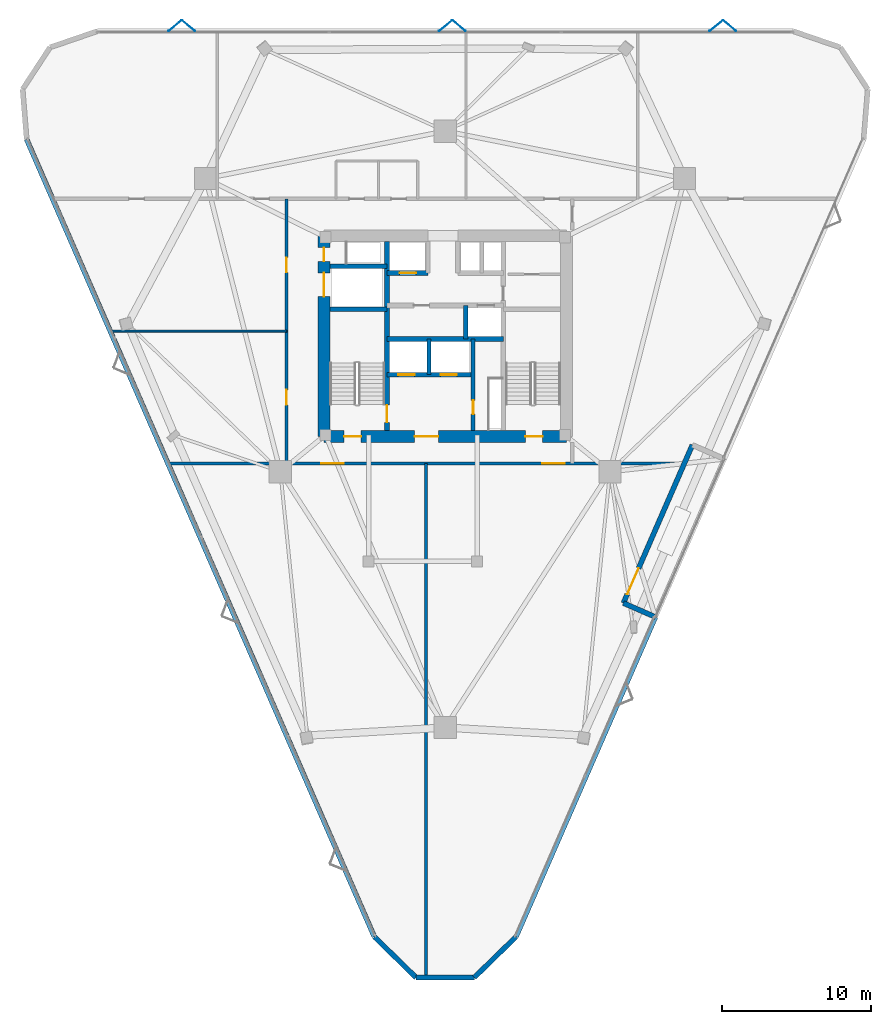
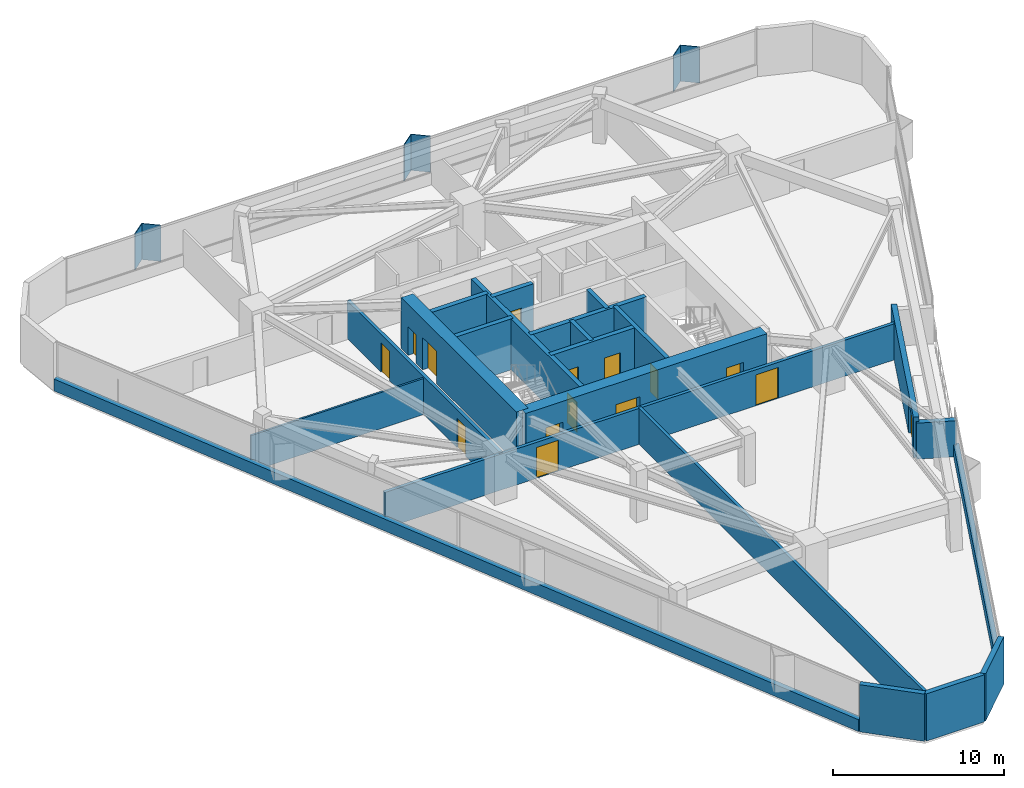
# One storey, part 9 of 11: 22 walls, 15 doors, 6 plates, 15 openings.
"""IFC4 building model written with IfcOpenShell, lengths in metres."""

from ifc_helpers import new_model, si_unit, direction, frame, frame_2d, origin, origin_2d, place, context, subcontext, project, spatial, rectangle, extrude, material, layer, layer_set, type_object, element, fill, save


model = new_model("IFC4")

# Units and contexts
model_context = context("Model", 3, precision=1e-05, world=origin(), true_north=direction((0.0, 1.0)))
body_context = subcontext(model_context, "Body", "Model", "MODEL_VIEW")
ifc_project = project(units=[si_unit("LENGTHUNIT", "METRE"), si_unit("AREAUNIT", "SQUARE_METRE"), si_unit("VOLUMEUNIT", "CUBIC_METRE"), si_unit("PLANEANGLEUNIT", "RADIAN"), si_unit("MASSUNIT", "GRAM", prefix="KILO")], contexts=[model_context])

# Site, building, storey
site_placement = place(None, origin())
site = spatial("IfcSite", under=ifc_project, at=site_placement, CompositionType="ELEMENT")
building_placement = place(site_placement, origin())
building = spatial("IfcBuilding", under=site, at=building_placement, Name="Talyreon Biosciences Tower", CompositionType="ELEMENT")
storey_placement = place(building_placement, frame((0.0, 0.0, 149.10009765625)))
storey = spatial("IfcBuildingStorey", under=building, at=storey_placement, Name="L39", CompositionType="ELEMENT", Elevation=149.10009765625)

# Plates
ifc_material_1 = material(Name="Ivory GFRC sunshade panel", Category="concrete")
ifc_layer_1 = layer(ifc_material_1, 0.044921875)
ifc_layer_set_1 = layer_set([ifc_layer_1], Name="Ivory GFRC sunshade panel")
plate_type = type_object("IfcPlateType", Name="FoldedVSunshade_NorthFace_SUNSHADE", PredefinedType="USERDEFINED", material=ifc_layer_set_1)
for number, where, z_axis, x_axis, name in (
    (1, (47.82763671875, 88.87939453125, 0.7900390625), (0.0, 0.0, 1.0), (0.771624583388, 0.636078220278, 0.0), "L39 Folded V-Sunshade Panel 03.01L"),
    (2, (48.727783203125, 88.87939453125, 0.7900390625), (0.0, 0.0, 1.0), (0.771624583388, -0.636078220278, 0.0), "L39 Folded V-Sunshade Panel 03.01R"),
    (3, (66.027587890625, 88.87939453125, 0.7900390625), (0.0, 0.0, 1.0), (0.771624583388, 0.636078220278, 0.0), "L39 Folded V-Sunshade Panel 03.02L"),
    (4, (66.927734375, 88.87939453125, 0.7900390625), (0.0, 0.0, 1.0), (0.771624583388, -0.636078220278, 0.0), "L39 Folded V-Sunshade Panel 03.02R"),
    (5, (84.227783203125, 88.87939453125, 0.7900390625), (0.0, 0.0, 1.0), (0.771624583388, 0.636078220278, 0.0), "L39 Folded V-Sunshade Panel 03.03L"),
    (6, (85.127685546875, 88.87939453125, 0.7900390625), (0.0, 0.0, 1.0), (0.771624583388, -0.636078220278, 0.0), "L39 Folded V-Sunshade Panel 03.03R"),
):
    element("IfcPlate", number, at=place(storey_placement, frame(where, z_axis=z_axis, x_axis=x_axis)), inside=storey, type_object=plate_type, Name=name, ObjectType="SUNSHADE", PredefinedType="USERDEFINED", context=body_context, shape_type="SweptSolid", body=[
        extrude(rectangle(XDim=1.14990234375, YDim=0.044921875, at=origin_2d()), origin(), (0.0, 0.0, 1.0), 2.5849609375),
    ])

# Walls
ifc_material_2 = material(Name="Gypsum fireboard acoustic stud", Category="gypsum")
ifc_layer_2 = layer(ifc_material_2, 0.199951171875)
ifc_layer_set_2 = layer_set([ifc_layer_2], Name="Gypsum fireboard acoustic stud")
wall_type_1 = type_object("IfcWallType", Name="ChemControlPartition_200", PredefinedType="PARTITIONING", material=ifc_layer_set_2)
wall_1_placement = place(storey_placement, frame((64.718017578125, 24.94140625, 0.0), z_axis=(0.0, 0.0, 1.0), x_axis=(0.0, 1.0, 0.0)))
element("IfcWall", 7, at=wall_1_placement, inside=storey, type_object=wall_type_1, Name="L39 Interior Wall IW-L39-SDIV1", PredefinedType="PARTITIONING", context=body_context, shape_type="SweptSolid", body=[
    extrude(rectangle(XDim=34.488525390625, YDim=0.199951171875, at=frame_2d((17.244140625, 0.0))), origin(), (0.0, 0.0, 1.0), 2.574951171875),
])
ifc_material_3 = material(Name="Concrete C50/60", Category="concrete")
ifc_layer_3 = layer(ifc_material_3, 0.280029296875)
ifc_layer_set_3 = layer_set([ifc_layer_3], Name="Concrete C50/60")
wall_type_2 = type_object("IfcWallType", Name="CoreShearWall_280", PredefinedType="SHEAR", material=ifc_layer_set_3)
wall_2_placement = place(storey_placement, frame((64.919921875, 65.39990234375, 0.0), z_axis=(0.0, 0.0, 1.0), x_axis=(0.0, 1.0, 0.0)))
element("IfcWall", 8, at=wall_2_placement, inside=storey, type_object=wall_type_2, Name="L39 Core Shaft Wall SWSHD1", PredefinedType="SHEAR", context=body_context, shape_type="SweptSolid", body=[
    extrude(rectangle(XDim=2.400146484375, YDim=0.280029296875, at=frame_2d((1.2001953125, 0.0))), origin(), (0.0, 0.0, 1.0), 3.64990234375),
])

# Wall, opening, door
wall_3_placement = place(storey_placement, frame((67.8798828125, 61.64990234375, 0.0), z_axis=(0.0, 0.0, 1.0), x_axis=(0.0, 1.0, 0.0)))
wall_3 = element("IfcWall", 9, at=wall_3_placement, inside=storey, type_object=wall_type_2, Name="L39 Core Shaft Wall SWFFE", PredefinedType="SHEAR", context=body_context, shape_type="SweptSolid", body=[
    extrude(rectangle(XDim=6.150146484375, YDim=0.280029296875, at=frame_2d((3.0751953125, 0.0))), origin(), (0.0, 0.0, 1.0), 3.64990234375),
])
opening_1_placement = place(wall_3_placement, frame((1.10009765625, 0.0, 0.0)))
opening_1 = element("IfcOpeningElement", 10, at=opening_1_placement, cuts=wall_3, Name="Opening DR-L39-RSE", PredefinedType="OPENING", context=body_context, shape_type="SweptSolid", body=[
    extrude(rectangle(XDim=0.919921875, YDim=2.050048828125, at=frame_2d((0.4599609375, 1.02490234375))), frame((0.0, 0.14990234375, 0.0), z_axis=(0.0, -1.0, 0.0), x_axis=(1.0, 0.0, 0.0)), (0.0, 0.0, 1.0), 0.300048828125),
])
ifc_material_4 = material(Name="Painted steel fire-rated riser door", Category="steel")
door_type_1 = type_object("IfcDoorType", Name="RiserPlantAccessDoor_920x2050", OperationType="NOTDEFINED", PredefinedType="DOOR", material=ifc_material_4)
door_1_placement = place(opening_1_placement, origin())
door_1 = element("IfcDoor", 11, at=door_1_placement, inside=storey, type_object=door_type_1, Name="L39 Core Door DR-L39-RSE", OperationType="SINGLE_SWING_RIGHT", OverallHeight=2.050048828125, OverallWidth=0.919921875, PredefinedType="DOOR", context=body_context, shape_type="SweptSolid", body=[
    extrude(rectangle(XDim=0.919921875, YDim=2.050048828125, at=frame_2d((0.4599609375, 1.02490234375))), frame((0.0, 0.02490234375, 0.0), z_axis=(0.0, -1.0, 0.0), x_axis=(1.0, 0.0, 0.0)), (0.0, 0.0, 1.0), 0.050048828125),
])
fill(opening_1, door_1)

# Wall
wall_4_placement = place(storey_placement, frame((67.3798828125, 67.800048828125, 0.0), z_axis=(0.0, 0.0, 1.0), x_axis=(0.0, 1.0, 0.0)))
element("IfcWall", 12, at=wall_4_placement, inside=storey, type_object=wall_type_2, Name="L39 Core Shaft Wall SWPMD", PredefinedType="SHEAR", context=body_context, shape_type="SweptSolid", body=[
    extrude(rectangle(XDim=2.25, YDim=0.280029296875, at=frame_2d((1.125, 0.0))), origin(), (0.0, 0.0, 1.0), 3.64990234375),
])

# Wall, opening, door
ifc_layer_4 = layer(ifc_material_3, 0.320068359375)
ifc_layer_set_4 = layer_set([ifc_layer_4], Name="Concrete C50/60")
wall_type_3 = type_object("IfcWallType", Name="CoreShearWall_320", PredefinedType="SHEAR", material=ifc_layer_set_4)
wall_5_placement = place(storey_placement, frame((62.090087890625, 61.64990234375, 0.0), z_axis=(0.0, 0.0, 1.0), x_axis=(0.0, 1.0, 0.0)))
wall_5 = element("IfcWall", 13, at=wall_5_placement, inside=storey, type_object=wall_type_3, Name="L39 Core Shaft Wall SW1E", PredefinedType="SHEAR", context=body_context, shape_type="SweptSolid", body=[
    extrude(rectangle(XDim=12.7001953125, YDim=0.320068359375, at=frame_2d((6.35009765625, 0.0))), origin(), (0.0, 0.0, 1.0), 3.64990234375),
])
opening_2_placement = place(wall_5_placement, frame((0.550048828125, 0.0, 0.0)))
opening_2 = element("IfcOpeningElement", 14, at=opening_2_placement, cuts=wall_5, Name="Opening DR-L39-FF-ST1", PredefinedType="OPENING", context=body_context, shape_type="SweptSolid", body=[
    extrude(rectangle(XDim=1.14990234375, YDim=2.14990234375, at=frame_2d((0.574951171875, 1.074951171875))), frame((0.0, 0.169921875, 0.0), z_axis=(0.0, -1.0, 0.0), x_axis=(1.0, 0.0, 0.0)), (0.0, 0.0, 1.0), 0.340087890625),
])
ifc_material_5 = material(Name="Painted steel fire door", Category="steel")
door_type_2 = type_object("IfcDoorType", Name="StairShaftFireDoor_1150x2150", OperationType="NOTDEFINED", PredefinedType="DOOR", material=ifc_material_5)
door_2_placement = place(opening_2_placement, origin())
door_2 = element("IfcDoor", 15, at=door_2_placement, inside=storey, type_object=door_type_2, Name="L39 Core Door DR-L39-FF-ST1", OperationType="SINGLE_SWING_LEFT", OverallHeight=2.14990234375, OverallWidth=1.14990234375, PredefinedType="DOOR", context=body_context, shape_type="SweptSolid", body=[
    extrude(rectangle(XDim=1.14990234375, YDim=2.14990234375, at=frame_2d((0.574951171875, 1.074951171875))), frame((0.0, 0.02490234375, 0.0), z_axis=(0.0, -1.0, 0.0), x_axis=(1.0, 0.0, 0.0)), (0.0, 0.0, 1.0), 0.050048828125),
])
fill(opening_2, door_2)

# Walls
for number, where, z_axis, x_axis, name in (
    (16, (58.25, 69.81005859375, 0.0), (0.0, 0.0, 1.0), (1.0, 0.0, 0.0), "L39 Core Shaft Wall SW1N"),
    (17, (58.25, 72.699951171875, 0.0), (0.0, 0.0, 1.0), (1.0, 0.0, 0.0), "L39 Core Shaft Wall SWGLN"),
):
    element("IfcWall", number, at=place(storey_placement, frame(where, z_axis=z_axis, x_axis=x_axis)), inside=storey, type_object=wall_type_3, Name=name, PredefinedType="SHEAR", context=body_context, shape_type="SweptSolid", body=[
        extrude(rectangle(XDim=3.840087890625, YDim=0.320068359375, at=frame_2d((1.919921875, 0.0))), origin(), (0.0, 0.0, 1.0), 3.64990234375),
    ])
wall_6_placement = place(storey_placement, frame((62.090087890625, 67.800048828125, 0.0), z_axis=(0.0, 0.0, 1.0), x_axis=(1.0, 0.0, 0.0)))
element("IfcWall", 18, at=wall_6_placement, inside=storey, type_object=wall_type_3, Name="L39 Core Shaft Wall SWSHM", PredefinedType="SHEAR", context=body_context, shape_type="SweptSolid", body=[
    extrude(rectangle(XDim=7.81982421875, YDim=0.320068359375, at=frame_2d((3.909912109375, 0.0))), origin(), (0.0, 0.0, 1.0), 3.64990234375),
])

# Wall, opening, door
wall_7_placement = place(storey_placement, frame((62.090087890625, 72.25, 0.0), z_axis=(0.0, 0.0, 1.0), x_axis=(1.0, 0.0, 0.0)))
wall_7 = element("IfcWall", 19, at=wall_7_placement, inside=storey, type_object=wall_type_3, Name="L39 Core Shaft Wall SWNPW", PredefinedType="SHEAR", context=body_context, shape_type="SweptSolid", body=[
    extrude(rectangle(XDim=2.760009765625, YDim=0.320068359375, at=frame_2d((1.3798828125, 0.0))), origin(), (0.0, 0.0, 1.0), 3.64990234375),
])
opening_3_placement = place(wall_7_placement, frame((0.85009765625, 0.0, 0.0)))
opening_3 = element("IfcOpeningElement", 20, at=opening_3_placement, cuts=wall_7, Name="Opening LD-L39-PM2", PredefinedType="OPENING", context=body_context, shape_type="SweptSolid", body=[
    extrude(rectangle(XDim=1.10009765625, YDim=2.199951171875, at=frame_2d((0.550048828125, 1.10009765625))), frame((0.0, 0.169921875, 0.0), z_axis=(0.0, -1.0, 0.0), x_axis=(1.0, 0.0, 0.0)), (0.0, 0.0, 1.0), 0.340087890625),
])
ifc_material_6 = material(Name="Brushed stainless-steel lift landing door", Category="steel")
door_type_3 = type_object("IfcDoorType", Name="LiftSlidingLandingDoor_1100x2200", OperationType="SLIDING_TO_LEFT", PredefinedType="DOOR", material=ifc_material_6)
door_3_placement = place(opening_3_placement, origin())
door_3 = element("IfcDoor", 21, at=door_3_placement, inside=storey, type_object=door_type_3, Name="L39 Core Door LD-L39-PM2", OperationType="SLIDING_TO_LEFT", OverallHeight=2.199951171875, OverallWidth=1.10009765625, PredefinedType="DOOR", context=body_context, shape_type="SweptSolid", body=[
    extrude(rectangle(XDim=1.10009765625, YDim=2.199951171875, at=frame_2d((0.550048828125, 1.10009765625))), frame((0.0, 0.02490234375, 0.0), z_axis=(0.0, -1.0, 0.0), x_axis=(1.0, 0.0, 0.0)), (0.0, 0.0, 1.0), 0.050048828125),
])
fill(opening_3, door_3)

# Wall, openings, doors
wall_8_placement = place(storey_placement, frame((62.090087890625, 65.39990234375, 0.0), z_axis=(0.0, 0.0, 1.0), x_axis=(1.0, 0.0, 0.0)))
wall_8 = element("IfcWall", 22, at=wall_8_placement, inside=storey, type_object=wall_type_3, Name="L39 Core Shaft Wall SWFFN", PredefinedType="SHEAR", context=body_context, shape_type="SweptSolid", body=[
    extrude(rectangle(XDim=5.789794921875, YDim=0.320068359375, at=frame_2d((2.89501953125, 0.0))), origin(), (0.0, 0.0, 1.0), 3.64990234375),
])
opening_4_placement = place(wall_8_placement, frame((0.75, 0.0, 0.0)))
opening_4 = element("IfcOpeningElement", 23, at=opening_4_placement, cuts=wall_8, Name="Opening LD-L39-FL1", PredefinedType="OPENING", context=body_context, shape_type="SweptSolid", body=[
    extrude(rectangle(XDim=1.10009765625, YDim=2.199951171875, at=frame_2d((0.550048828125, 1.10009765625))), frame((0.0, 0.169921875, 0.0), z_axis=(0.0, -1.0, 0.0), x_axis=(1.0, 0.0, 0.0)), (0.0, 0.0, 1.0), 0.340087890625),
])
opening_5_placement = place(wall_8_placement, frame((3.60009765625, 0.0, 0.0)))
opening_5 = element("IfcOpeningElement", 24, at=opening_5_placement, cuts=wall_8, Name="Opening LD-L39-FL2", PredefinedType="OPENING", context=body_context, shape_type="SweptSolid", body=[
    extrude(rectangle(XDim=1.10009765625, YDim=2.199951171875, at=frame_2d((0.550048828125, 1.10009765625))), frame((0.0, 0.169921875, 0.0), z_axis=(0.0, -1.0, 0.0), x_axis=(1.0, 0.0, 0.0)), (0.0, 0.0, 1.0), 0.340087890625),
])
door_4_placement = place(opening_4_placement, origin())
door_4 = element("IfcDoor", 25, at=door_4_placement, inside=storey, type_object=door_type_3, Name="L39 Core Door LD-L39-FL1", OperationType="SLIDING_TO_LEFT", OverallHeight=2.199951171875, OverallWidth=1.10009765625, PredefinedType="DOOR", context=body_context, shape_type="SweptSolid", body=[
    extrude(rectangle(XDim=1.10009765625, YDim=2.199951171875, at=frame_2d((0.550048828125, 1.10009765625))), frame((0.0, 0.02490234375, 0.0), z_axis=(0.0, -1.0, 0.0), x_axis=(1.0, 0.0, 0.0)), (0.0, 0.0, 1.0), 0.050048828125),
])
fill(opening_4, door_4)
door_5_placement = place(opening_5_placement, origin())
door_5 = element("IfcDoor", 26, at=door_5_placement, inside=storey, type_object=door_type_3, Name="L39 Core Door LD-L39-FL2", OperationType="SLIDING_TO_LEFT", OverallHeight=2.199951171875, OverallWidth=1.10009765625, PredefinedType="DOOR", context=body_context, shape_type="SweptSolid", body=[
    extrude(rectangle(XDim=1.10009765625, YDim=2.199951171875, at=frame_2d((0.550048828125, 1.10009765625))), frame((0.0, 0.02490234375, 0.0), z_axis=(0.0, -1.0, 0.0), x_axis=(1.0, 0.0, 0.0)), (0.0, 0.0, 1.0), 0.050048828125),
])
fill(opening_5, door_5)

ifc_material_7 = material(Name="Concrete C60/75", Category="concrete")
ifc_layer_5 = layer(ifc_material_7, 0.800048828125)
ifc_layer_set_5 = layer_set([ifc_layer_5], Name="Concrete C60/75")
wall_type_4 = type_object("IfcWallType", Name="CoreShearWall_800", PredefinedType="SHEAR", material=ifc_layer_set_5)
wall_9_placement = place(storey_placement, frame((57.85009765625, 61.25, 0.0), z_axis=(0.0, 0.0, 1.0), x_axis=(1.0, 0.0, 0.0)))
wall_9 = element("IfcWall", 27, at=wall_9_placement, inside=storey, type_object=wall_type_4, Name="L39 Core Shear Wall S", PredefinedType="SHEAR", context=body_context, shape_type="SweptSolid", body=[
    extrude(rectangle(XDim=16.2998046875, YDim=0.800048828125, at=frame_2d((8.14990234375, 0.0))), origin(), (0.0, 0.0, 1.0), 3.64990234375),
])
opening_6_placement = place(wall_9_placement, frame((1.35009765625, 0.0, 0.0)))
opening_6 = element("IfcOpeningElement", 28, at=opening_6_placement, cuts=wall_9, Name="Opening DR-L39-ST1", PredefinedType="OPENING", context=body_context, shape_type="SweptSolid", body=[
    extrude(rectangle(XDim=1.14990234375, YDim=2.14990234375, at=frame_2d((0.574951171875, 1.074951171875))), frame((0.0, 0.409912109375, 0.0), z_axis=(0.0, -1.0, 0.0), x_axis=(1.0, 0.0, 0.0)), (0.0, 0.0, 1.0), 0.820068359375),
])
opening_7_placement = place(wall_9_placement, frame((6.10009765625, 0.0, 0.0)))
opening_7 = element("IfcOpeningElement", 29, at=opening_7_placement, cuts=wall_9, Name="Opening DR-L39-FFL", PredefinedType="OPENING", context=body_context, shape_type="SweptSolid", body=[
    extrude(rectangle(XDim=1.60009765625, YDim=2.14990234375, at=frame_2d((0.800048828125, 1.074951171875))), frame((0.0, 0.409912109375, 0.0), z_axis=(0.0, -1.0, 0.0), x_axis=(1.0, 0.0, 0.0)), (0.0, 0.0, 1.0), 0.820068359375),
])
opening_8_placement = place(wall_9_placement, frame((13.550048828125, 0.0, 0.0)))
opening_8 = element("IfcOpeningElement", 30, at=opening_8_placement, cuts=wall_9, Name="Opening DR-L39-ST2", PredefinedType="OPENING", context=body_context, shape_type="SweptSolid", body=[
    extrude(rectangle(XDim=1.14990234375, YDim=2.14990234375, at=frame_2d((0.574951171875, 1.074951171875))), frame((0.0, 0.409912109375, 0.0), z_axis=(0.0, -1.0, 0.0), x_axis=(1.0, 0.0, 0.0)), (0.0, 0.0, 1.0), 0.820068359375),
])
ifc_material_8 = material(Name="Painted steel smoke-seal fire door", Category="steel")
door_type_4 = type_object("IfcDoorType", Name="FirefightingLobbyDoubleDoor_1600x2150", OperationType="DOUBLE_DOOR_SINGLE_SWING", PredefinedType="DOOR", material=ifc_material_8)
door_6_placement = place(opening_7_placement, origin())
door_6 = element("IfcDoor", 31, at=door_6_placement, inside=storey, type_object=door_type_4, Name="L39 Core Door DR-L39-FFL", OperationType="DOUBLE_DOOR_SINGLE_SWING", OverallHeight=2.14990234375, OverallWidth=1.60009765625, PredefinedType="DOOR", context=body_context, shape_type="SweptSolid", body=[
    extrude(rectangle(XDim=1.60009765625, YDim=2.14990234375, at=frame_2d((0.800048828125, 1.074951171875))), frame((0.0, 0.02490234375, 0.0), z_axis=(0.0, -1.0, 0.0), x_axis=(1.0, 0.0, 0.0)), (0.0, 0.0, 1.0), 0.050048828125),
])
fill(opening_7, door_6)
door_7_placement = place(opening_6_placement, origin())
door_7 = element("IfcDoor", 32, at=door_7_placement, inside=storey, type_object=door_type_2, Name="L39 Core Door DR-L39-ST1", OperationType="SINGLE_SWING_LEFT", OverallHeight=2.14990234375, OverallWidth=1.14990234375, PredefinedType="DOOR", context=body_context, shape_type="SweptSolid", body=[
    extrude(rectangle(XDim=1.14990234375, YDim=2.14990234375, at=frame_2d((0.574951171875, 1.074951171875))), frame((0.0, 0.02490234375, 0.0), z_axis=(0.0, -1.0, 0.0), x_axis=(1.0, 0.0, 0.0)), (0.0, 0.0, 1.0), 0.050048828125),
])
fill(opening_6, door_7)
door_8_placement = place(opening_8_placement, origin())
door_8 = element("IfcDoor", 33, at=door_8_placement, inside=storey, type_object=door_type_2, Name="L39 Core Door DR-L39-ST2", OperationType="SINGLE_SWING_RIGHT", OverallHeight=2.14990234375, OverallWidth=1.14990234375, PredefinedType="DOOR", context=body_context, shape_type="SweptSolid", body=[
    extrude(rectangle(XDim=1.14990234375, YDim=2.14990234375, at=frame_2d((0.574951171875, 1.074951171875))), frame((0.0, 0.02490234375, 0.0), z_axis=(0.0, -1.0, 0.0), x_axis=(1.0, 0.0, 0.0)), (0.0, 0.0, 1.0), 0.050048828125),
])
fill(opening_8, door_8)

wall_10_placement = place(storey_placement, frame((57.85009765625, 74.75, 0.0), z_axis=(0.0, 0.0, 1.0), x_axis=(0.0, -1.0, 0.0)))
wall_10 = element("IfcWall", 34, at=wall_10_placement, inside=storey, type_object=wall_type_4, Name="L39 Core Shear Wall W", PredefinedType="SHEAR", context=body_context, shape_type="SweptSolid", body=[
    extrude(rectangle(XDim=13.5, YDim=0.800048828125, at=frame_2d((6.75, 0.0))), origin(), (0.0, 0.0, 1.0), 3.64990234375),
])
opening_9_placement = place(wall_10_placement, frame((0.800048828125, 0.0, 0.0)))
opening_9 = element("IfcOpeningElement", 35, at=opening_9_placement, cuts=wall_10, Name="Opening DR-L39-RSW", PredefinedType="OPENING", context=body_context, shape_type="SweptSolid", body=[
    extrude(rectangle(XDim=0.919921875, YDim=2.050048828125, at=frame_2d((0.4599609375, 1.02490234375))), frame((0.0, 0.409912109375, 0.0), z_axis=(0.0, -1.0, 0.0), x_axis=(1.0, 0.0, 0.0)), (0.0, 0.0, 1.0), 0.820068359375),
])
opening_10_placement = place(wall_10_placement, frame((2.5, 0.0, 0.0)))
opening_10 = element("IfcOpeningElement", 36, at=opening_10_placement, cuts=wall_10, Name="Opening LD-L39-GL1", PredefinedType="OPENING", context=body_context, shape_type="SweptSolid", body=[
    extrude(rectangle(XDim=1.60009765625, YDim=2.300048828125, at=frame_2d((0.800048828125, 1.14990234375))), frame((0.0, 0.409912109375, 0.0), z_axis=(0.0, -1.0, 0.0), x_axis=(1.0, 0.0, 0.0)), (0.0, 0.0, 1.0), 0.820068359375),
])
ifc_material_9 = material(Name="Heavy-duty stainless-steel goods lift door", Category="steel")
door_type_5 = type_object("IfcDoorType", Name="GoodsLiftSlidingDoor_1600x2300", OperationType="DOUBLE_DOOR_SLIDING", PredefinedType="DOOR", material=ifc_material_9)
door_9_placement = place(opening_10_placement, origin())
door_9 = element("IfcDoor", 37, at=door_9_placement, inside=storey, type_object=door_type_5, Name="L39 Core Door LD-L39-GL1", OperationType="DOUBLE_DOOR_SLIDING", OverallHeight=2.300048828125, OverallWidth=1.60009765625, PredefinedType="DOOR", context=body_context, shape_type="SweptSolid", body=[
    extrude(rectangle(XDim=1.60009765625, YDim=2.300048828125, at=frame_2d((0.800048828125, 1.14990234375))), frame((0.0, 0.02490234375, 0.0), z_axis=(0.0, -1.0, 0.0), x_axis=(1.0, 0.0, 0.0)), (0.0, 0.0, 1.0), 0.050048828125),
])
fill(opening_10, door_9)
door_10_placement = place(opening_9_placement, origin())
door_10 = element("IfcDoor", 38, at=door_10_placement, inside=storey, type_object=door_type_1, Name="L39 Core Door DR-L39-RSW", OperationType="SINGLE_SWING_LEFT", OverallHeight=2.050048828125, OverallWidth=0.919921875, PredefinedType="DOOR", context=body_context, shape_type="SweptSolid", body=[
    extrude(rectangle(XDim=0.919921875, YDim=2.050048828125, at=frame_2d((0.4599609375, 1.02490234375))), frame((0.0, 0.02490234375, 0.0), z_axis=(0.0, -1.0, 0.0), x_axis=(1.0, 0.0, 0.0)), (0.0, 0.0, 1.0), 0.050048828125),
])
fill(opening_9, door_10)

ifc_layer_6 = layer(ifc_material_2, 0.219970703125)
ifc_layer_set_6 = layer_set([ifc_layer_6], Name="Gypsum fireboard acoustic stud")
wall_type_5 = type_object("IfcWallType", Name="CorridorRatedPartition_220", PredefinedType="PARTITIONING", material=ifc_layer_set_6)
wall_11_placement = place(storey_placement, frame((47.4443359375, 59.429931640625, 0.0), z_axis=(0.0, 0.0, 1.0), x_axis=(1.0, 0.0, 0.0)))
wall_11 = element("IfcWall", 39, at=wall_11_placement, inside=storey, type_object=wall_type_5, Name="L39 Interior Wall IW-L39-COR-S", PredefinedType="PARTITIONING", context=body_context, shape_type="SweptSolid", body=[
    extrude(rectangle(XDim=34.547607421875, YDim=0.219970703125, at=frame_2d((17.27392578125, 0.0))), origin(), (0.0, 0.0, 1.0), 2.574951171875),
])
opening_11_placement = place(wall_11_placement, frame((10.22412109375, 0.0, 0.0)))
opening_11 = element("IfcOpeningElement", 40, at=opening_11_placement, cuts=wall_11, Name="Opening DR-L39-S1A", PredefinedType="OPENING", context=body_context, shape_type="SweptSolid", body=[
    extrude(rectangle(XDim=1.5, YDim=2.199951171875, at=frame_2d((0.75, 1.10009765625))), frame((0.0, 0.119873046875, 0.0), z_axis=(0.0, -1.0, 0.0), x_axis=(1.0, 0.0, 0.0)), (0.0, 0.0, 1.0), 0.239990234375),
])
opening_12_placement = place(wall_11_placement, frame((25.0859375, 0.0, 0.0)))
opening_12 = element("IfcOpeningElement", 41, at=opening_12_placement, cuts=wall_11, Name="Opening DR-L39-S2A", PredefinedType="OPENING", context=body_context, shape_type="SweptSolid", body=[
    extrude(rectangle(XDim=1.5, YDim=2.199951171875, at=frame_2d((0.75, 1.10009765625))), frame((0.0, 0.119873046875, 0.0), z_axis=(0.0, -1.0, 0.0), x_axis=(1.0, 0.0, 0.0)), (0.0, 0.0, 1.0), 0.239990234375),
])
ifc_material_10 = material(Name="Vision-panel steel laboratory fire door", Category="steel")
door_type_6 = type_object("IfcDoorType", Name="WetLabDoubleLeafDoor_1500x2200", OperationType="DOUBLE_DOOR_SINGLE_SWING", PredefinedType="DOOR", material=ifc_material_10)
door_11_placement = place(opening_11_placement, origin())
door_11 = element("IfcDoor", 42, at=door_11_placement, inside=storey, type_object=door_type_6, Name="L39 Interior Door DR-L39-S1A", OperationType="DOUBLE_DOOR_SINGLE_SWING", OverallHeight=2.199951171875, OverallWidth=1.5, PredefinedType="DOOR", context=body_context, shape_type="SweptSolid", body=[
    extrude(rectangle(XDim=1.5, YDim=2.199951171875, at=frame_2d((0.75, 1.10009765625))), frame((0.0, 0.02490234375, 0.0), z_axis=(0.0, -1.0, 0.0), x_axis=(1.0, 0.0, 0.0)), (0.0, 0.0, 1.0), 0.050048828125),
])
fill(opening_11, door_11)
door_12_placement = place(opening_12_placement, origin())
door_12 = element("IfcDoor", 43, at=door_12_placement, inside=storey, type_object=door_type_6, Name="L39 Interior Door DR-L39-S2A", OperationType="DOUBLE_DOOR_SINGLE_SWING", OverallHeight=2.199951171875, OverallWidth=1.5, PredefinedType="DOOR", context=body_context, shape_type="SweptSolid", body=[
    extrude(rectangle(XDim=1.5, YDim=2.199951171875, at=frame_2d((0.75, 1.10009765625))), frame((0.0, 0.02490234375, 0.0), z_axis=(0.0, -1.0, 0.0), x_axis=(1.0, 0.0, 0.0)), (0.0, 0.0, 1.0), 0.050048828125),
])
fill(opening_12, door_12)

wall_12_placement = place(storey_placement, frame((55.330078125, 59.429931640625, 0.0), z_axis=(0.0, 0.0, 1.0), x_axis=(0.0, 1.0, 0.0)))
wall_12 = element("IfcWall", 44, at=wall_12_placement, inside=storey, type_object=wall_type_5, Name="L39 Interior Wall IW-L39-COR-W", PredefinedType="PARTITIONING", context=body_context, shape_type="SweptSolid", body=[
    extrude(rectangle(XDim=17.800048828125, YDim=0.219970703125, at=frame_2d((8.89990234375, 0.0))), origin(), (0.0, 0.0, 1.0), 2.704833984375),
])
opening_13_placement = place(wall_12_placement, frame((3.949951171875, 0.0, 0.0)))
opening_13 = element("IfcOpeningElement", 45, at=opening_13_placement, cuts=wall_12, Name="Opening DR-L39-W1A", PredefinedType="OPENING", context=body_context, shape_type="SweptSolid", body=[
    extrude(rectangle(XDim=1.0, YDim=2.10009765625, at=frame_2d((0.5, 1.050048828125))), frame((0.0, 0.119873046875, 0.0), z_axis=(0.0, -1.0, 0.0), x_axis=(1.0, 0.0, 0.0)), (0.0, 0.0, 1.0), 0.239990234375),
])
opening_14_placement = place(wall_12_placement, frame((12.85009765625, 0.0, 0.0)))
opening_14 = element("IfcOpeningElement", 46, at=opening_14_placement, cuts=wall_12, Name="Opening DR-L39-W2A", PredefinedType="OPENING", context=body_context, shape_type="SweptSolid", body=[
    extrude(rectangle(XDim=1.0, YDim=2.10009765625, at=frame_2d((0.5, 1.050048828125))), frame((0.0, 0.119873046875, 0.0), z_axis=(0.0, -1.0, 0.0), x_axis=(1.0, 0.0, 0.0)), (0.0, 0.0, 1.0), 0.239990234375),
])
ifc_material_11 = material(Name="Acoustic oak veneer office door", Category="wood")
door_type_7 = type_object("IfcDoorType", Name="WriteupOfficeDoor_1000x2100", OperationType="NOTDEFINED", PredefinedType="DOOR", material=ifc_material_11)
door_13_placement = place(opening_13_placement, origin())
door_13 = element("IfcDoor", 47, at=door_13_placement, inside=storey, type_object=door_type_7, Name="L39 Interior Door DR-L39-W1A", OperationType="SINGLE_SWING_RIGHT", OverallHeight=2.10009765625, OverallWidth=1.0, PredefinedType="DOOR", context=body_context, shape_type="SweptSolid", body=[
    extrude(rectangle(XDim=1.0, YDim=2.10009765625, at=frame_2d((0.5, 1.050048828125))), frame((0.0, 0.02490234375, 0.0), z_axis=(0.0, -1.0, 0.0), x_axis=(1.0, 0.0, 0.0)), (0.0, 0.0, 1.0), 0.050048828125),
])
fill(opening_13, door_13)
door_14_placement = place(opening_14_placement, origin())
door_14 = element("IfcDoor", 48, at=door_14_placement, inside=storey, type_object=door_type_7, Name="L39 Interior Door DR-L39-W2A", OperationType="SINGLE_SWING_RIGHT", OverallHeight=2.10009765625, OverallWidth=1.0, PredefinedType="DOOR", context=body_context, shape_type="SweptSolid", body=[
    extrude(rectangle(XDim=1.0, YDim=2.10009765625, at=frame_2d((0.5, 1.050048828125))), frame((0.0, 0.02490234375, 0.0), z_axis=(0.0, -1.0, 0.0), x_axis=(1.0, 0.0, 0.0)), (0.0, 0.0, 1.0), 0.050048828125),
])
fill(opening_14, door_14)

# Wall
ifc_material_12 = material(Name="Gypsum acoustic stud partition", Category="gypsum")
ifc_layer_7 = layer(ifc_material_12, 0.1298828125)
ifc_layer_set_7 = layer_set([ifc_layer_7], Name="Gypsum acoustic stud partition")
wall_type_6 = type_object("IfcWallType", Name="OfficeWriteupPartition_130", PredefinedType="PARTITIONING", material=ifc_layer_set_7)
wall_13_placement = place(storey_placement, frame((43.5634765625, 68.330078125, 0.0), z_axis=(0.0, 0.0, 1.0), x_axis=(1.0, 0.0, 0.0)))
element("IfcWall", 49, at=wall_13_placement, inside=storey, type_object=wall_type_6, Name="L39 Interior Wall IW-L39-WDIV1", PredefinedType="PARTITIONING", context=body_context, shape_type="SweptSolid", body=[
    extrude(rectangle(XDim=11.7666015625, YDim=0.1298828125, at=frame_2d((5.88330078125, 0.0))), origin(), (0.0, 0.0, 1.0), 2.574951171875),
])

# Wall, opening, door
ifc_material_13 = material(Name="Precast concrete C45/55", Category="concrete")
ifc_layer_8 = layer(ifc_material_13, 0.340087890625)
ifc_layer_set_8 = layer_set([ifc_layer_8], Name="Precast concrete C45/55")
wall_type_7 = type_object("IfcWallType", Name="PrecastConcreteSpandrelWall_340", PredefinedType="STANDARD", material=ifc_layer_set_8)
wall_14_placement = place(storey_placement, frame((82.626953125, 60.67333984375, 0.0), z_axis=(0.0, 0.0, 1.0), x_axis=(-0.399697883631, -0.916646934114, 0.0)))
wall_14 = element("IfcWall", 50, at=wall_14_placement, inside=storey, type_object=wall_type_7, Name="L39 Terrace Backing Concrete Wall 09", PredefinedType="STANDARD", context=body_context, shape_type="SweptSolid", body=[
    extrude(rectangle(XDim=11.599853515625, YDim=0.340087890625, at=frame_2d((5.7998046875, 0.0))), origin(), (0.0, 0.0, 1.0), 2.90478515625),
])
opening_15_placement = place(wall_14_placement, frame((9.050048828125, 0.0, 0.0)))
opening_15 = element("IfcOpeningElement", 51, at=opening_15_placement, cuts=wall_14, Name="Opening D04", PredefinedType="OPENING", context=body_context, shape_type="SweptSolid", body=[
    extrude(rectangle(XDim=1.89990234375, YDim=2.300048828125, at=frame_2d((0.949951171875, 1.14990234375))), frame((0.0, 0.179931640625, 0.0), z_axis=(0.0, -1.0, 0.0), x_axis=(1.0, 0.0, 0.0)), (0.0, 0.0, 1.0), 0.360107421875),
])
ifc_material_14 = material(Name="Thermally broken low-E glazed terrace door", Category="aluminium")
door_type_8 = type_object("IfcDoorType", Name="SkyGardenTerraceDoubleDoor_1900x2300", OperationType="DOUBLE_DOOR_SINGLE_SWING", PredefinedType="DOOR", material=ifc_material_14)
door_15_placement = place(opening_15_placement, origin())
door_15 = element("IfcDoor", 52, at=door_15_placement, inside=storey, type_object=door_type_8, Name="L39 Outdoor Terrace Access Door 09", OperationType="DOUBLE_DOOR_SINGLE_SWING", OverallHeight=2.300048828125, OverallWidth=1.89990234375, PredefinedType="DOOR", context=body_context, shape_type="SweptSolid", body=[
    extrude(rectangle(XDim=1.89990234375, YDim=2.300048828125, at=frame_2d((0.949951171875, 1.14990234375))), frame((0.0, 0.02490234375, 0.0), z_axis=(0.0, -1.0, 0.0), x_axis=(1.0, 0.0, 0.0)), (0.0, 0.0, 1.0), 0.050048828125),
])
fill(opening_15, door_15)

# Walls
wall_15_placement = place(storey_placement, frame((77.990478515625, 50.040283203125, 0.0), z_axis=(0.0, 0.0, 1.0), x_axis=(0.916654976367, -0.399679439429, 0.0)))
element("IfcWall", 53, at=wall_15_placement, inside=storey, type_object=wall_type_7, Name="L39 Terrace Backing Concrete Wall 10", PredefinedType="STANDARD", context=body_context, shape_type="SweptSolid", body=[
    extrude(rectangle(XDim=2.349853515625, YDim=0.340087890625, at=frame_2d((1.1748046875, 0.0))), origin(), (0.0, 0.0, 1.0), 2.574951171875),
])
wall_16_placement = place(storey_placement, frame((80.14453125, 49.10107421875, 0.0), z_axis=(0.0, 0.0, 1.0), x_axis=(-0.399698418424, -0.916646700921, 0.0)))
element("IfcWall", 54, at=wall_16_placement, inside=storey, type_object=wall_type_7, Name="L39 Expressed Concrete Sill Wall 11", PredefinedType="STANDARD", context=body_context, shape_type="SweptSolid", body=[
    extrude(rectangle(XDim=23.46240234375, YDim=0.340087890625, at=frame_2d((11.731201171875, 0.0))), origin(), (0.0, 0.0, 1.0), 0.849853515625),
])
wall_17_placement = place(storey_placement, frame((70.7666015625, 27.59423828125, 0.0), z_axis=(0.0, 0.0, 1.0), x_axis=(-0.715770561267, -0.698335523672, 0.0)))
element("IfcWall", 55, at=wall_17_placement, inside=storey, type_object=wall_type_7, Name="L39 Rounded-Corner Concrete Pier 12", PredefinedType="STANDARD", context=body_context, shape_type="SweptSolid", body=[
    extrude(rectangle(XDim=3.9208984375, YDim=0.340087890625, at=frame_2d((1.96044921875, 0.0))), origin(), (0.0, 0.0, 1.0), 3.375),
])
wall_18_placement = place(storey_placement, frame((67.960205078125, 24.856201171875, 0.0), z_axis=(0.0, 0.0, 1.0), x_axis=(-1.0, 0.0, 0.0)))
element("IfcWall", 56, at=wall_18_placement, inside=storey, type_object=wall_type_7, Name="L39 Rounded-Corner Concrete Pier 13", PredefinedType="STANDARD", context=body_context, shape_type="SweptSolid", body=[
    extrude(rectangle(XDim=3.92041015625, YDim=0.340087890625, at=frame_2d((1.960205078125, 0.0))), origin(), (0.0, 0.0, 1.0), 3.375),
])
wall_19_placement = place(storey_placement, frame((64.039794921875, 24.856201171875, 0.0), z_axis=(0.0, 0.0, 1.0), x_axis=(-0.715770561267, 0.698335523672, 0.0)))
element("IfcWall", 57, at=wall_19_placement, inside=storey, type_object=wall_type_7, Name="L39 Rounded-Corner Concrete Pier 14", PredefinedType="STANDARD", context=body_context, shape_type="SweptSolid", body=[
    extrude(rectangle(XDim=3.9208984375, YDim=0.340087890625, at=frame_2d((1.96044921875, 0.0))), origin(), (0.0, 0.0, 1.0), 3.375),
])
wall_20_placement = place(storey_placement, frame((61.2333984375, 27.59423828125, 0.0), z_axis=(0.0, 0.0, 1.0), x_axis=(-0.399698312425, 0.916646747141, 0.0)))
element("IfcWall", 58, at=wall_20_placement, inside=storey, type_object=wall_type_7, Name="L39 Expressed Concrete Sill Wall 15", PredefinedType="STANDARD", context=body_context, shape_type="SweptSolid", body=[
    extrude(rectangle(XDim=58.52490234375, YDim=0.340087890625, at=frame_2d((29.262451171875, 0.0))), origin(), (0.0, 0.0, 1.0), 0.849853515625),
])

save(model, "model.ifc")
